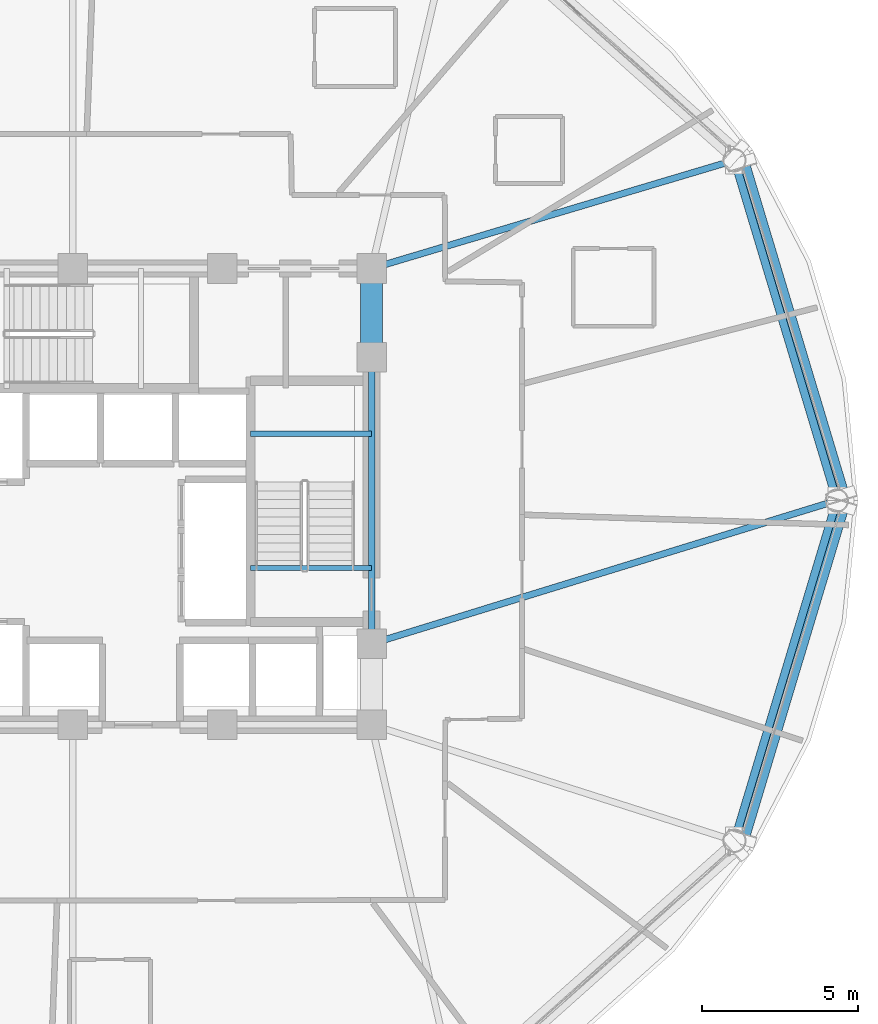
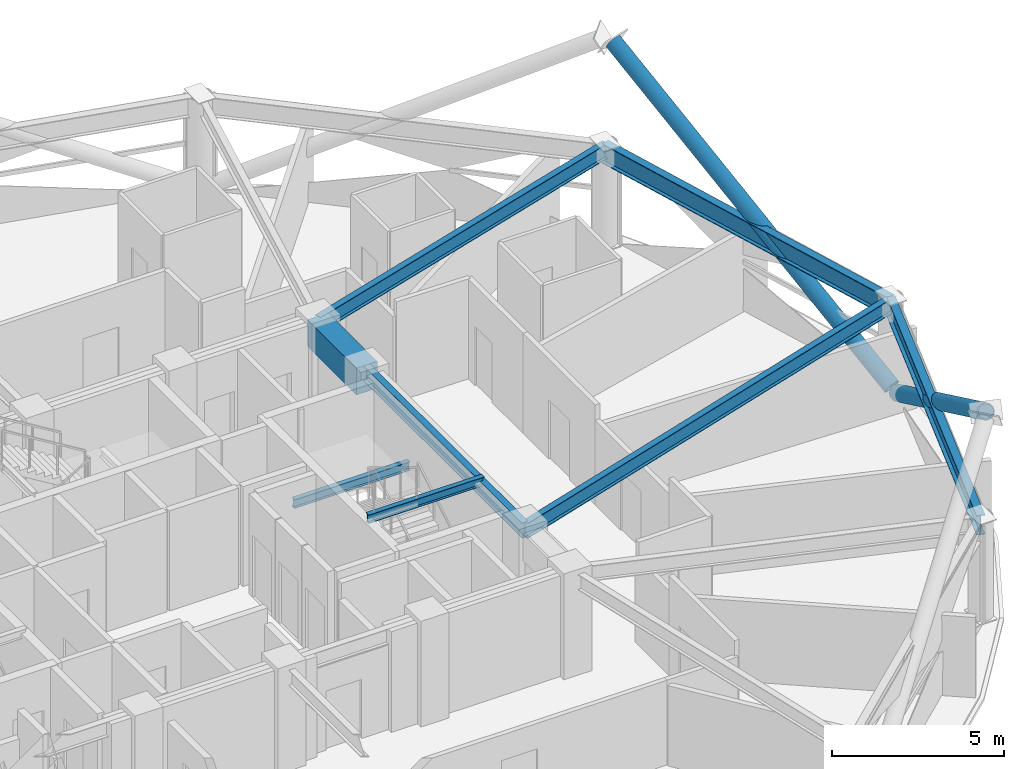
# One storey, part 11 of 29: 8 beams, 2 members.
"""IFC4 building model written with IfcOpenShell, lengths in metres."""

from ifc_helpers import new_model, si_unit, direction, frame, origin, origin_2d, place, context, subcontext, project, spatial, rectangle, hollow_circle, i_section, extrude, material, material_profile, profile_set, type_object, element, save


model = new_model("IFC4")

# Units and contexts
model_context = context("Model", 3, precision=1e-05, world=origin(), true_north=direction((0.0, 1.0)))
body_context = subcontext(model_context, "Body", "Model", "MODEL_VIEW")
ifc_project = project(units=[si_unit("LENGTHUNIT", "METRE"), si_unit("AREAUNIT", "SQUARE_METRE"), si_unit("VOLUMEUNIT", "CUBIC_METRE"), si_unit("PLANEANGLEUNIT", "RADIAN"), si_unit("MASSUNIT", "GRAM", prefix="KILO")], contexts=[model_context])

# Site, building, storey
site_placement = place(None, origin())
site = spatial("IfcSite", under=ifc_project, at=site_placement, CompositionType="ELEMENT")
building_placement = place(site_placement, origin())
building = spatial("IfcBuilding", under=site, at=building_placement, Name="Vantalir Tower", CompositionType="ELEMENT")
storey_placement = place(building_placement, frame((0.0, 0.0, 164.699951171875)))
storey = spatial("IfcBuildingStorey", under=building, at=storey_placement, Name="L41", CompositionType="ELEMENT", Elevation=164.699951171875)

# Beams
ifc_material_1 = material(Name="Concrete C60/75", Category="concrete")
ifc_material_profile_1 = material_profile(ifc_material_1, rectangle(XDim=0.699951171875, YDim=0.949951171875, at=origin_2d()), Name="Concrete C60/75")
ifc_profile_set_1 = profile_set([ifc_material_profile_1], Name="Concrete C60/75")
beam_type_1 = type_object("IfcBeamType", Name="BM-CB-700x950", PredefinedType="USERDEFINED", material=ifc_profile_set_1)
beam_1_placement = place(storey_placement, frame((41.10009765625, 29.60009765625, 3.094970703125), z_axis=(0.0, 1.0, 0.0), x_axis=(-1.0, 0.0, 0.0)))
element("IfcBeam", 1, at=beam_1_placement, inside=storey, type_object=beam_type_1, Name="L41 Core Coupling Girder 07", ObjectType="GIRDER", PredefinedType="USERDEFINED", context=body_context, shape_type="SweptSolid", body=[
    extrude(rectangle(XDim=0.699951171875, YDim=0.949951171875, at=origin_2d()), origin(), (0.0, 0.0, 1.0), 2.849853515625),
])
ifc_material_2 = material(Name="Steel S355", Category="steel")
ifc_material_profile_2 = material_profile(ifc_material_2, i_section(OverallWidth=0.166015625, OverallDepth=0.306884765625, WebThickness=0.006591796875, FlangeThickness=0.01171875, at=origin_2d()), Name="Steel S355")
ifc_profile_set_2 = profile_set([ifc_material_profile_2], Name="Steel S355")
beam_type_2 = type_object("IfcBeamType", Name="BM-JS-305x165", PredefinedType="JOIST", material=ifc_profile_set_2)
for number, where, z_axis, x_axis, name in (
    (2, (37.2099609375, 22.8349609375, 3.595947265625), (1.0, 0.0, 0.0), (0.0, 1.0, 0.0), "L42 Stair ST2 Well Nosing Trimmer Beam"),
    (3, (37.2099609375, 27.14501953125, 1.52197265625), (1.0, 0.0, 0.0), (0.0, 1.0, 0.0), "L41 Stair ST2 Half-Landing Support Beam"),
):
    element("IfcBeam", number, at=place(storey_placement, frame(where, z_axis=z_axis, x_axis=x_axis)), inside=storey, type_object=beam_type_2, Name=name, PredefinedType="JOIST", context=body_context, shape_type="SweptSolid", body=[
        extrude(i_section(OverallWidth=0.166015625, OverallDepth=0.306884765625, WebThickness=0.006591796875, FlangeThickness=0.01171875, at=origin_2d()), origin(), (0.0, 0.0, 1.0), 3.89013671875),
    ])
ifc_material_profile_3 = material_profile(ifc_material_2, i_section(OverallWidth=0.2109375, OverallDepth=0.5390625, WebThickness=0.01171875, FlangeThickness=0.018798828125, at=origin_2d()), Name="Steel S355")
ifc_profile_set_3 = profile_set([ifc_material_profile_3], Name="Steel S355")
beam_type_3 = type_object("IfcBeamType", Name="BM-RB-533x210", PredefinedType="BEAM", material=ifc_profile_set_3)
beam_2_placement = place(storey_placement, frame((41.10009765625, 20.39990234375, 3.301025390625), z_axis=(0.0, 1.0, 0.0), x_axis=(-1.0, 0.0, 0.0)))
element("IfcBeam", 4, at=beam_2_placement, inside=storey, type_object=beam_type_3, Name="L41 Core Coupling Girder 06", PredefinedType="BEAM", context=body_context, shape_type="SweptSolid", body=[
    extrude(i_section(OverallWidth=0.2109375, OverallDepth=0.5390625, WebThickness=0.01171875, FlangeThickness=0.018798828125, at=origin_2d()), origin(), (0.0, 0.0, 1.0), 9.2001953125),
])
beam_3_placement = place(storey_placement, frame((56.035888671875, 25.0, 3.301025390625), z_axis=(-0.955698583761, -0.294347102918, 0.0), x_axis=(0.294347102918, -0.955698583761, 0.0)))
element("IfcBeam", 5, at=beam_3_placement, inside=storey, type_object=beam_type_3, Name="L41 Radial Floor Beam 01", PredefinedType="BEAM", context=body_context, shape_type="SweptSolid", body=[
    extrude(i_section(OverallWidth=0.2109375, OverallDepth=0.5390625, WebThickness=0.01171875, FlangeThickness=0.018798828125, at=origin_2d()), origin(), (0.0, 0.0, 1.0), 15.628173828125),
])
beam_4_placement = place(storey_placement, frame((52.7490234375, 35.924072265625, 3.301025390625), z_axis=(-0.958290462824, -0.285796061659, 0.0), x_axis=(0.285796061659, -0.958290462824, 0.0)))
element("IfcBeam", 6, at=beam_4_placement, inside=storey, type_object=beam_type_3, Name="L41 Radial Floor Beam 02", PredefinedType="BEAM", context=body_context, shape_type="SweptSolid", body=[
    extrude(i_section(OverallWidth=0.2109375, OverallDepth=0.5390625, WebThickness=0.01171875, FlangeThickness=0.018798828125, at=origin_2d()), origin(), (0.0, 0.0, 1.0), 12.156005859375),
])
ifc_material_3 = material(Name="Steel S460", Category="steel")
ifc_material_profile_4 = material_profile(ifc_material_3, i_section(OverallWidth=0.256103515625, OverallDepth=0.693115234375, WebThickness=0.014404296875, FlangeThickness=0.023681640625, at=origin_2d()), Name="Steel S460")
ifc_profile_set_4 = profile_set([ifc_material_profile_4], Name="Steel S460")
beam_type_4 = type_object("IfcBeamType", Name="BM-RG-686x254", PredefinedType="USERDEFINED", material=ifc_profile_set_4)
for number, where, z_axis, x_axis, name in (
    (7, (56.035888671875, 25.0, 3.22412109375), (-0.288123336704, 0.957593307645, 0.0), (-0.957593307645, -0.288123336704, 0.0), "L41 Circumferential Ring Girder 01"),
    (8, (52.7490234375, 14.075927734375, 3.22412109375), (0.288123336704, 0.957593307645, 0.0), (-0.957593307645, 0.288123336704, 0.0), "L41 Circumferential Ring Girder 12"),
):
    element("IfcBeam", number, at=place(storey_placement, frame(where, z_axis=z_axis, x_axis=x_axis)), inside=storey, type_object=beam_type_4, Name=name, ObjectType="GIRDER", PredefinedType="USERDEFINED", context=body_context, shape_type="SweptSolid", body=[
        extrude(i_section(OverallWidth=0.256103515625, OverallDepth=0.693115234375, WebThickness=0.014404296875, FlangeThickness=0.023681640625, at=origin_2d()), origin(), (0.0, 0.0, 1.0), 11.407958984375),
    ])

# Members
ifc_material_profile_5 = material_profile(ifc_material_3, hollow_circle(Radius=0.260009765625, WallThickness=0.0380859375, at=origin_2d()), Name="Steel S460")
ifc_profile_set_5 = profile_set([ifc_material_profile_5], Name="Steel S460")
member_type = type_object("IfcMemberType", Name="MEM-DB-520x38", PredefinedType="BRACE", material=ifc_profile_set_5)
for number, where, z_axis, x_axis, name in (
    (9, (56.172119140625, 25.178955078125, 0.196044921875), (-0.244435254211, 0.813071197508, 0.528362218826), (-0.957659533198, -0.287903140786, 0.0), "L41 Perimeter S460 Diagrid Brace R01L"),
    (10, (56.172119140625, 24.821044921875, 0.196044921875), (-0.244435254211, -0.813071197508, 0.528362218826), (0.957659533198, -0.287903140786, 0.0), "L41 Perimeter S460 Diagrid Brace R01R"),
):
    element("IfcMember", number, at=place(storey_placement, frame(where, z_axis=z_axis, x_axis=x_axis)), inside=storey, type_object=member_type, Name=name, PredefinedType="BRACE", context=body_context, shape_type="SweptSolid", body=[
        extrude(hollow_circle(Radius=0.260009765625, WallThickness=0.0380859375, at=origin_2d()), origin(), (0.0, 0.0, 1.0), 13.112060546875),
    ])

save(model, "model.ifc")
